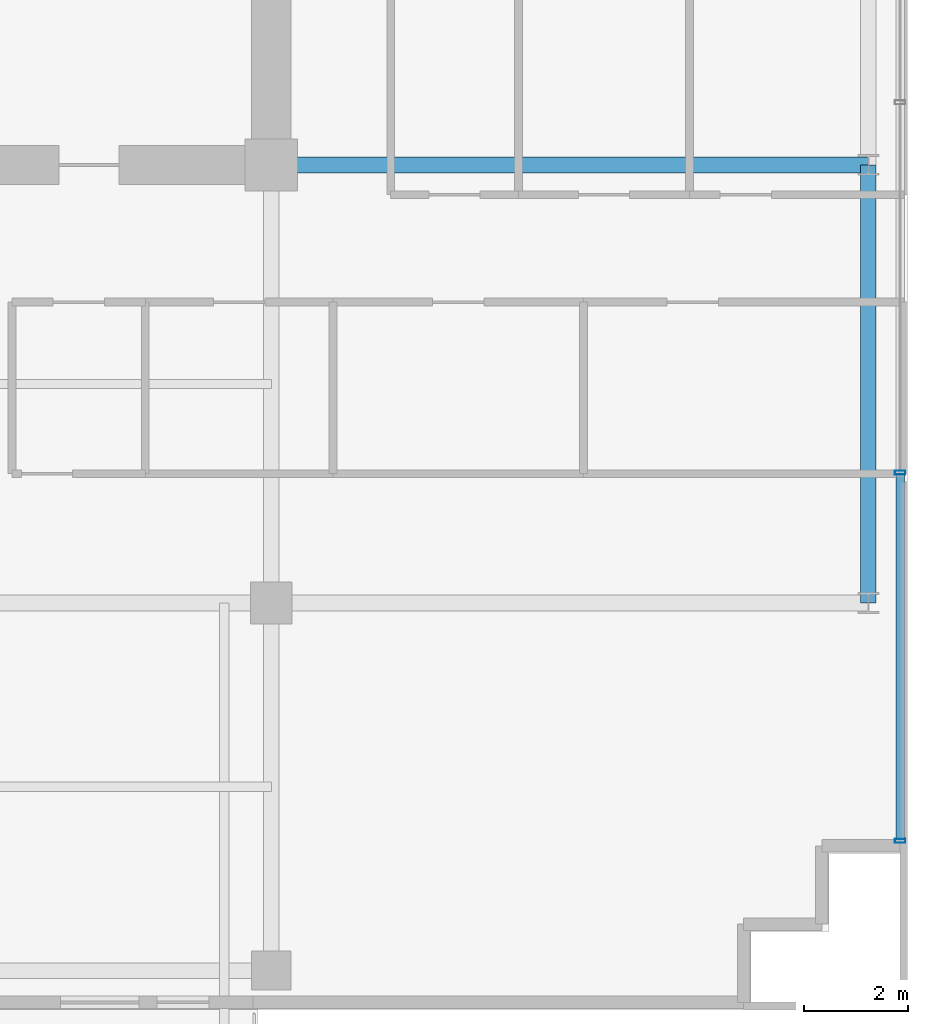
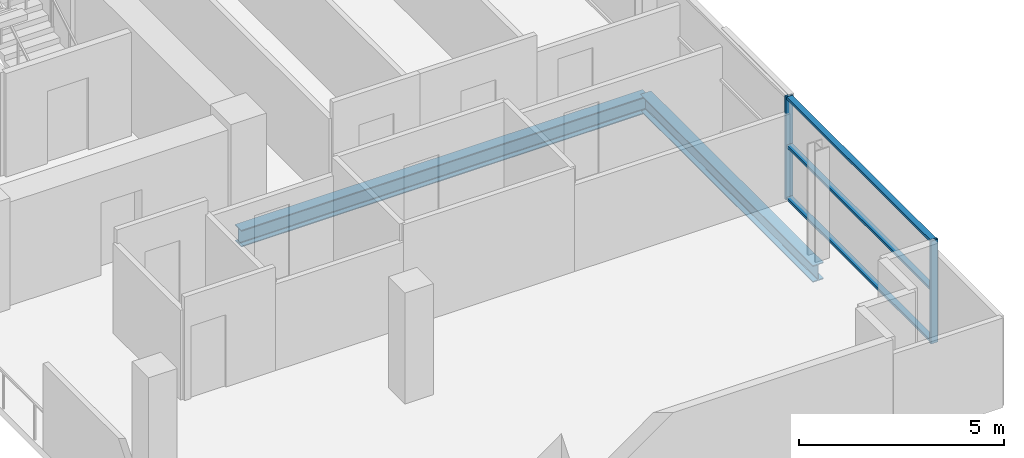
# One storey, part 7 of 21: 5 members, 2 beams, 1 element without a shape of its own.
"""IFC4 building model written with IfcOpenShell, lengths in metres."""

from ifc_helpers import new_model, si_unit, direction, frame, origin, origin_2d, place, context, subcontext, project, spatial, hollow_rectangle, i_section, extrude, source, transform, mapped, material, layer, layer_set, material_profile, profile_set, type_object, element, aggregate, save


model = new_model("IFC4")

# Units and contexts
model_context = context("Model", 3, precision=1e-05, world=origin(), true_north=direction((0.0, 1.0)))
body_context = subcontext(model_context, "Body", "Model", "MODEL_VIEW")
ifc_project = project(units=[si_unit("LENGTHUNIT", "METRE"), si_unit("AREAUNIT", "SQUARE_METRE"), si_unit("VOLUMEUNIT", "CUBIC_METRE"), si_unit("PLANEANGLEUNIT", "RADIAN"), si_unit("MASSUNIT", "GRAM", prefix="KILO")], contexts=[model_context])

# Site, building, storey
site_placement = place(None, origin())
site = spatial("IfcSite", under=ifc_project, at=site_placement, CompositionType="ELEMENT")
building_placement = place(site_placement, origin())
building = spatial("IfcBuilding", under=site, at=building_placement, Name="Zarnakvel Exchange Tower", CompositionType="ELEMENT")
storey_placement = place(building_placement, frame((0.0, 0.0, 185.800048828125)))
storey = spatial("IfcBuildingStorey", under=building, at=storey_placement, Name="L52", CompositionType="ELEMENT", Elevation=185.800048828125)

# Beams
ifc_material_1 = material(Name="Steel S355", Category="steel")
ifc_material_profile_1 = material_profile(ifc_material_1, i_section(OverallWidth=0.300048828125, OverallDepth=0.5, WebThickness=0.014404296875, FlangeThickness=0.028076171875, FilletRadius=0.027099609375, at=origin_2d()))
ifc_profile_set_1 = profile_set([ifc_material_profile_1], Name="Steel S355")
beam_type_1 = type_object("IfcBeamType", Name="G-06", PredefinedType="BEAM", material=ifc_profile_set_1)
beam_1_placement = place(storey_placement, frame((14.39990234375, -1.199951171875, -0.47509765625), z_axis=(1.0, 0.0, 0.0), x_axis=(0.0, 1.0, 0.0)))
element("IfcBeam", 1, at=beam_1_placement, inside=storey, type_object=beam_type_1, Name="L52 Tower E-W Frame Beam", PredefinedType="BEAM", context=body_context, shape_type="SweptSolid", body=[
    extrude(i_section(OverallWidth=0.300048828125, OverallDepth=0.5, WebThickness=0.014404296875, FlangeThickness=0.028076171875, FilletRadius=0.027099609375, at=origin_2d()), origin(), (0.0, 0.0, 1.0), 11.4501953125),
])
ifc_material_profile_2 = material_profile(ifc_material_1, i_section(OverallWidth=0.300048828125, OverallDepth=0.5, WebThickness=0.014404296875, FlangeThickness=0.028076171875, FilletRadius=0.027099609375, at=origin_2d()))
ifc_profile_set_2 = profile_set([ifc_material_profile_2], Name="Steel S355")
beam_type_2 = type_object("IfcBeamType", Name="SP-02", PredefinedType="SPANDREL", material=ifc_profile_set_2)
beam_2_placement = place(storey_placement, frame((25.85009765625, -9.60009765625, -0.47509765625), z_axis=(0.0, 1.0, 0.0), x_axis=(-1.0, 0.0, 0.0)))
element("IfcBeam", 2, at=beam_2_placement, inside=storey, type_object=beam_type_2, Name="L52 Tower N-S Frame Beam", PredefinedType="SPANDREL", context=body_context, shape_type="SweptSolid", body=[
    extrude(i_section(OverallWidth=0.300048828125, OverallDepth=0.5, WebThickness=0.014404296875, FlangeThickness=0.028076171875, FilletRadius=0.027099609375, at=origin_2d()), origin(), (0.0, 0.0, 1.0), 8.400146484375),
])

# Curtain wall, members
ifc_material_2 = material(Name="Architectural Bronze Anodised Aluminium", Category="aluminium")
ifc_layer = layer(ifc_material_2, 0.199951171875)
ifc_layer_set = layer_set([ifc_layer], Name="Architectural Bronze Anodised Aluminium")
curtain_wall_type = type_object("IfcCurtainWallType", Name="CW-04", PredefinedType="NOTDEFINED", material=ifc_layer_set)
curtain_wall_placement = place(storey_placement, origin())
curtain_wall = element("IfcCurtainWall", 3, at=curtain_wall_placement, inside=storey, type_object=curtain_wall_type, Name="L52 Curtain Wall CW-L52-E1 (CW-04)", PredefinedType="NOTDEFINED")
ifc_material_profile_3 = material_profile(ifc_material_2, hollow_rectangle(XDim=0.199951171875, YDim=0.074951171875, WallThickness=0.0048828125, at=origin_2d()))
ifc_profile_set_3 = profile_set([ifc_material_profile_3], Name="Architectural Bronze Anodised Aluminium")
member_type_1 = type_object("IfcMemberType", Name="CWM-04", PredefinedType="MULLION", material=ifc_profile_set_3)
shared_shape_1 = source(origin(), body_context, "Body", "SweptSolid", [
    extrude(hollow_rectangle(XDim=0.199951171875, YDim=0.074951171875, WallThickness=0.0048828125, at=origin_2d()), origin(), (0.0, 0.0, 1.0), 3.054931640625),
])
member_1_placement = place(storey_placement, frame((26.4599609375, -14.16259765625, 0.0), z_axis=(0.0, 0.0, 1.0), x_axis=(-1.0, 0.0, 0.0)))
member_1 = element("IfcMember", 4, at=member_1_placement, type_object=member_type_1, Name="CW-04 mullion 1", PredefinedType="MULLION", context=body_context, shape_type="MappedRepresentation", body=[
    mapped(shared_shape_1, transform((0.0, 0.0, 0.0), x_axis=(1.0, 0.0, 0.0), y_axis=(0.0, 1.0, 0.0), z_axis=(0.0, 0.0, 1.0), scale=1.0)),
])
member_2_placement = place(storey_placement, frame((26.4599609375, -7.10009765625, 0.0), z_axis=(0.0, 0.0, 1.0), x_axis=(-1.0, 0.0, 0.0)))
member_2 = element("IfcMember", 5, at=member_2_placement, type_object=member_type_1, Name="CW-04 mullion 2", PredefinedType="MULLION", context=body_context, shape_type="MappedRepresentation", body=[
    mapped(shared_shape_1, transform((0.0, 0.0, 0.0), x_axis=(1.0, 0.0, 0.0), y_axis=(0.0, 1.0, 0.0), z_axis=(0.0, 0.0, 1.0), scale=1.0)),
])
ifc_material_profile_4 = material_profile(ifc_material_2, hollow_rectangle(XDim=0.159912109375, YDim=0.074951171875, WallThickness=0.00390625, at=origin_2d()))
ifc_profile_set_4 = profile_set([ifc_material_profile_4], Name="Architectural Bronze Anodised Aluminium")
member_type_2 = type_object("IfcMemberType", Name="CWT-04", PredefinedType="USERDEFINED", material=ifc_profile_set_4)
shared_shape_2 = source(origin(), body_context, "Body", "SweptSolid", [
    extrude(hollow_rectangle(XDim=0.159912109375, YDim=0.074951171875, WallThickness=0.00390625, at=origin_2d()), origin(), (0.0, 0.0, 1.0), 6.987548828125),
])
member_3_placement = place(storey_placement, frame((26.4599609375, -14.125, 0.037353515625), z_axis=(0.0, 1.0, 0.0), x_axis=(-1.0, 0.0, 0.0)))
member_3 = element("IfcMember", 6, at=member_3_placement, type_object=member_type_2, Name="CW-04 transom 1.1", ObjectType="TRANSOM", PredefinedType="USERDEFINED", context=body_context, shape_type="MappedRepresentation", body=[
    mapped(shared_shape_2, transform((0.0, 0.0, 0.0), x_axis=(1.0, 0.0, 0.0), y_axis=(0.0, 1.0, 0.0), z_axis=(0.0, 0.0, 1.0), scale=1.0)),
])
member_4_placement = place(storey_placement, frame((26.4599609375, -14.125, 1.588623046875), z_axis=(0.0, 1.0, 0.0), x_axis=(-1.0, 0.0, 0.0)))
member_4 = element("IfcMember", 7, at=member_4_placement, type_object=member_type_2, Name="CW-04 transom 1.2", ObjectType="TRANSOM", PredefinedType="USERDEFINED", context=body_context, shape_type="MappedRepresentation", body=[
    mapped(shared_shape_2, transform((0.0, 0.0, 0.0), x_axis=(1.0, 0.0, 0.0), y_axis=(0.0, 1.0, 0.0), z_axis=(0.0, 0.0, 1.0), scale=1.0)),
])
member_5_placement = place(storey_placement, frame((26.4599609375, -14.125, 3.017333984375), z_axis=(0.0, 1.0, 0.0), x_axis=(-1.0, 0.0, 0.0)))
member_5 = element("IfcMember", 8, at=member_5_placement, type_object=member_type_2, Name="CW-04 transom 1.3", ObjectType="TRANSOM", PredefinedType="USERDEFINED", context=body_context, shape_type="MappedRepresentation", body=[
    mapped(shared_shape_2, transform((0.0, 0.0, 0.0), x_axis=(1.0, 0.0, 0.0), y_axis=(0.0, 1.0, 0.0), z_axis=(0.0, 0.0, 1.0), scale=1.0)),
])
aggregate(curtain_wall, [member_1, member_2, member_3, member_4, member_5])

save(model, "model.ifc")
